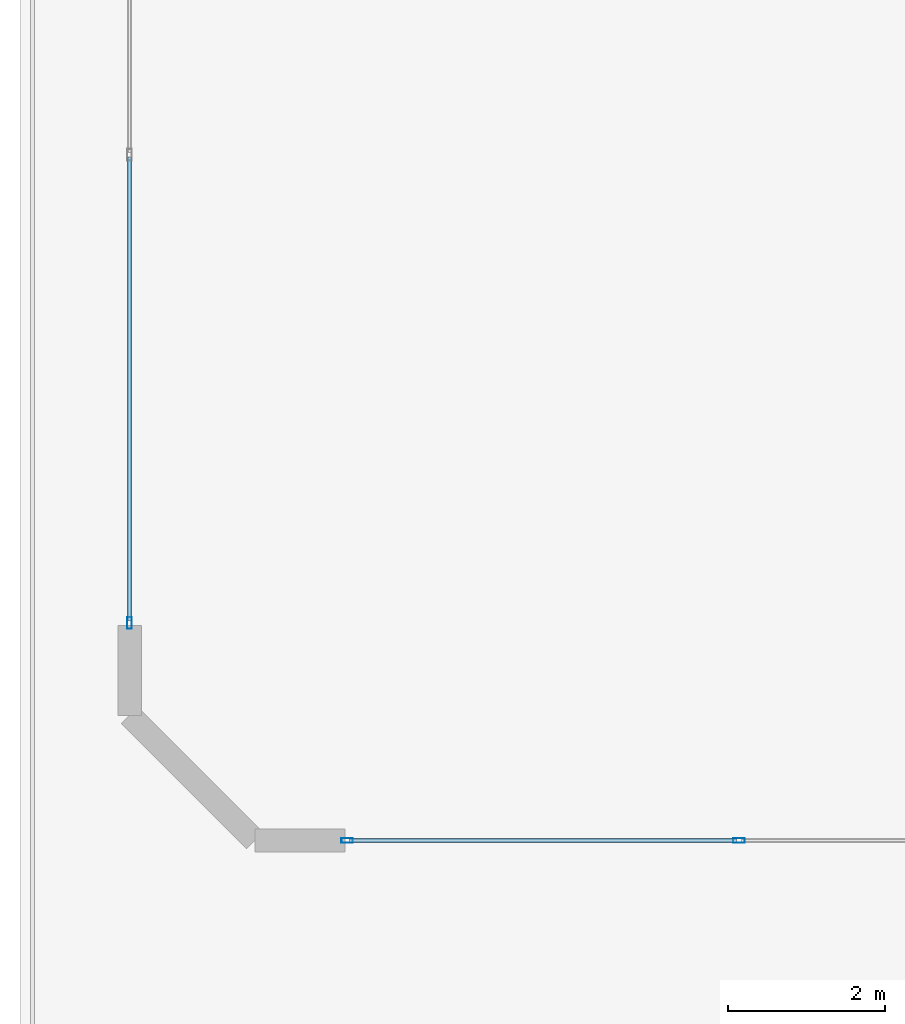
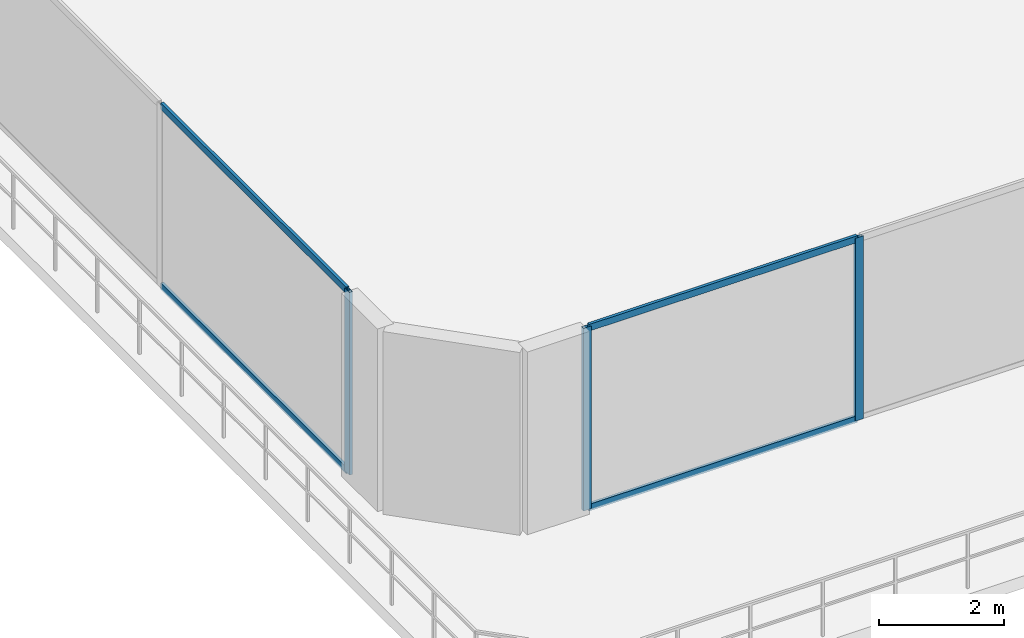
# One storey, part 2 of 19: 7 members, 2 elements without a shape of their own.
"""IFC4 building model written with IfcOpenShell, lengths in metres."""

import ifcopenshell
import ifcopenshell.guid

model = None  # the IFC model being written
_history = None  # IfcOwnerHistory: only IFC2X3 demands one
_inside = {}  # id of a spatial element -> (the spatial element, [elements in it])
_under = {}  # id of a project, library or spatial element -> (it, [spatial elements below it])
_declared = {}  # id of a project -> (the project, [libraries it declares])
_typed = {}  # id of a type object -> (the type object, [elements of that type])
_made_of = {}  # id of a material, layer set ... -> (it, [elements and type objects made of it])


def new_model(schema):
    """Start an empty IFC model of exactly this schema.

    Asked for "IFC4X3", IfcOpenShell would pick the latest addendum, in which some entities
    have other attributes; the version numbers below select the first issue.
    IFC2X3 requires an IfcOwnerHistory on every rooted entity: one is made here for all.
    """
    global model, _history
    if schema == "IFC4X3":
        model = ifcopenshell.file(schema_version=(4, 3, 0, 0))
    else:
        model = ifcopenshell.file(schema=schema)
    _inside.clear()
    _under.clear()
    _declared.clear()
    _typed.clear()
    _made_of.clear()
    _history = None
    if model.schema == "IFC2X3":
        org = make("IfcOrganization", Name="unknown")
        user = make(
            "IfcPersonAndOrganization",
            ThePerson=make("IfcPerson", FamilyName="unknown"),
            TheOrganization=org,
        )
        app = make(
            "IfcApplication",
            ApplicationDeveloper=org,
            Version="unknown",
            ApplicationFullName="unknown",
            ApplicationIdentifier="unknown",
        )
        _history = make(
            "IfcOwnerHistory",
            OwningUser=user,
            OwningApplication=app,
            ChangeAction="ADDED",
            CreationDate=0,
        )
    return model


def make(cls, **values):
    """One entity of the class cls with the attributes given. An attribute that is None is left unset."""
    return model.create_entity(
        cls, **{name: value for name, value in values.items() if value is not None}
    )


def rooted(cls, **values):
    """An entity with a GlobalId (a new one), such as an element, a storey or a relation."""
    return make(cls, GlobalId=ifcopenshell.guid.new(), OwnerHistory=_history, **values)


def si_unit(unit_type, name, prefix=None):
    """IfcSIUnit, for example si_unit("LENGTHUNIT", "METRE", prefix="MILLI")."""
    return make("IfcSIUnit", UnitType=unit_type, Prefix=prefix, Name=name)


def assignment(units):
    """IfcUnitAssignment: the units of a project."""
    return None if units is None else make("IfcUnitAssignment", Units=units)


def point(xyz):
    """IfcCartesianPoint."""
    return None if xyz is None else make("IfcCartesianPoint", Coordinates=xyz)


def direction(xyz):
    """IfcDirection."""
    return None if xyz is None else make("IfcDirection", DirectionRatios=xyz)


def frame(location, z_axis=None, x_axis=None):
    """IfcAxis2Placement3D, a coordinate frame: its origin and axes. An axis left out is left unset."""
    return make(
        "IfcAxis2Placement3D",
        Location=point(location),
        Axis=direction(z_axis),
        RefDirection=direction(x_axis),
    )


def frame_2d(location, x_axis=None):
    """IfcAxis2Placement2D, a coordinate frame in the plane: its origin and x axis."""
    return make(
        "IfcAxis2Placement2D", Location=point(location), RefDirection=direction(x_axis)
    )


def origin():
    """The frame at (0, 0, 0) with its axes left unset."""
    return frame((0.0, 0.0, 0.0))


def origin_2d():
    """The frame at (0, 0) in the plane with its x axis left unset."""
    return frame_2d((0.0, 0.0))


def place(relative_to, where):
    """IfcLocalPlacement: puts the frame where relative to a parent placement (None: the world)."""
    return make(
        "IfcLocalPlacement", PlacementRelTo=relative_to, RelativePlacement=where
    )


def context(
    kind, dimensions, precision=None, world=None, true_north=None, identifier=None
):
    """IfcGeometricRepresentationContext, for example the 3D "Model" context."""
    return make(
        "IfcGeometricRepresentationContext",
        ContextIdentifier=identifier,
        ContextType=kind,
        CoordinateSpaceDimension=dimensions,
        Precision=precision,
        WorldCoordinateSystem=world,
        TrueNorth=true_north,
    )


def subcontext(parent, identifier, kind, view, scale=None):
    """IfcGeometricRepresentationSubContext, for example "Body" below "Model"."""
    return make(
        "IfcGeometricRepresentationSubContext",
        ContextIdentifier=identifier,
        ContextType=kind,
        ParentContext=parent,
        TargetScale=scale,
        TargetView=view,
    )


def project(units=None, contexts=None):
    """IfcProject with its units and contexts."""
    return rooted(
        "IfcProject",
        Name="project",
        RepresentationContexts=contexts,
        UnitsInContext=assignment(units),
    )


def spatial(cls, under=None, at=None, **own):
    """A site, building, storey or space (cls), placed at a placement, below another one or the project."""
    s = rooted(cls, ObjectPlacement=at, **own)
    if under is not None:
        _under.setdefault(under.id(), (under, []))[1].append(s)
    return s


def profile(cls, at=None, kind="AREA", **sizes):
    """A parametric profile (cls). Its sizes go by their IFC names, for example OverallWidth=200.0."""
    return make(cls, ProfileType=kind, Position=at, **sizes)


def hollow_rectangle(**sizes):
    """IfcRectangleHollowProfileDef."""
    return profile("IfcRectangleHollowProfileDef", **sizes)


def extrude(swept, where, along, depth):
    """IfcExtrudedAreaSolid: the profile swept, set in the frame where, extruded along a direction by depth."""
    return make(
        "IfcExtrudedAreaSolid",
        SweptArea=swept,
        Position=where,
        ExtrudedDirection=direction(along),
        Depth=depth,
    )


def shape(context_of_items, identifier, shape_type, items):
    """IfcShapeRepresentation: the items that make up one representation, for example the "Body"."""
    return make(
        "IfcShapeRepresentation",
        ContextOfItems=context_of_items,
        RepresentationIdentifier=identifier,
        RepresentationType=shape_type,
        Items=items,
    )


def material(Name=None, Category=None):
    """IfcMaterial."""
    return make("IfcMaterial", Name=Name, Category=Category)


def layer(
    of_material, thickness, ventilated=None, Name=None, Category=None, Priority=None
):
    """IfcMaterialLayer: one layer of a wall or slab, of a material (None: an air gap)."""
    return make(
        "IfcMaterialLayer",
        Material=of_material,
        LayerThickness=thickness,
        IsVentilated=ventilated,
        Name=Name,
        Category=Category,
        Priority=Priority,
    )


def layer_set(layers, Name=None):
    """IfcMaterialLayerSet."""
    return make("IfcMaterialLayerSet", MaterialLayers=layers, LayerSetName=Name)


def material_profile(
    of_material, cross_section, Name=None, Category=None, Priority=None
):
    """IfcMaterialProfile: a cross section and its material."""
    return make(
        "IfcMaterialProfile",
        Name=Name,
        Material=of_material,
        Profile=cross_section,
        Priority=Priority,
        Category=Category,
    )


def profile_set(profiles, Name=None, composite=None):
    """IfcMaterialProfileSet."""
    return make(
        "IfcMaterialProfileSet",
        Name=Name,
        MaterialProfiles=profiles,
        CompositeProfile=composite,
    )


def made_of(thing, what):
    """Note that an element or type object is made of a material, layer set ...; save() writes the relation."""
    if what is not None:
        _made_of.setdefault(what.id(), (what, []))[1].append(thing)
    return thing


def type_object(cls, material=None, **own):
    """A type object (cls), such as IfcWallType, which elements share."""
    return made_of(rooted(cls, **own), material)


def element(
    cls,
    number,
    at=None,
    inside=None,
    cuts=None,
    type_object=None,
    material=None,
    context=None,
    identifier="Body",
    shape_type=None,
    held_by="IfcProductDefinitionShape",
    body=None,
    shapes=None,
    **own,
):
    """One element of the class cls, such as IfcWall. Its Tag is "e" and its number.

    at: its placement. inside: the storey or other place that contains it. cuts: it is an
    opening in that element (IfcRelVoidsElement). A single representation is given by context,
    identifier, shape_type and body (its items); several are given by shapes. held_by: the class
    of the entity that holds the representations. save() writes the other relations.
    """
    e = rooted(cls, Tag="e%d" % number, ObjectPlacement=at, **own)
    if body is not None:
        shapes = [shape(context, identifier, shape_type, body)]
    if shapes is not None:
        e.Representation = make(held_by, Representations=shapes)
    if inside is not None:
        _inside.setdefault(inside.id(), (inside, []))[1].append(e)
    if cuts is not None:
        rooted(
            "IfcRelVoidsElement", RelatingBuildingElement=cuts, RelatedOpeningElement=e
        )
    if type_object is not None:
        _typed.setdefault(type_object.id(), (type_object, []))[1].append(e)
    return made_of(e, material)


def aggregate(whole, parts):
    """IfcRelAggregates: a whole, such as a stair, and the parts it consists of."""
    return rooted("IfcRelAggregates", RelatingObject=whole, RelatedObjects=parts)


def save(model, path):
    """Write the relations noted so far, then the file.

    IfcRelAggregates (storeys below a building ...), IfcRelContainedInSpatialStructure (elements
    in a storey), IfcRelDefinesByType, IfcRelAssociatesMaterial and IfcRelDeclares: one each for
    every whole, place, type object, material and project.
    """
    for whole, parts in _under.values():
        aggregate(whole, parts)
    for where, things in _inside.values():
        rooted(
            "IfcRelContainedInSpatialStructure",
            RelatedElements=things,
            RelatingStructure=where,
        )
    for kind, things in _typed.values():
        rooted("IfcRelDefinesByType", RelatedObjects=things, RelatingType=kind)
    for what, things in _made_of.values():
        rooted("IfcRelAssociatesMaterial", RelatedObjects=things, RelatingMaterial=what)
    for by, libraries in _declared.values():
        rooted("IfcRelDeclares", RelatingContext=by, RelatedDefinitions=libraries)
    model.write(path)


model = new_model("IFC4")

# Units and contexts
model_context = context("Model", 3, precision=1e-05, world=origin(), true_north=direction((0.0, 1.0)))
body_context = subcontext(model_context, "Body", "Model", "MODEL_VIEW")
ifc_project = project(units=[si_unit("LENGTHUNIT", "METRE"), si_unit("AREAUNIT", "SQUARE_METRE"), si_unit("VOLUMEUNIT", "CUBIC_METRE"), si_unit("PLANEANGLEUNIT", "RADIAN"), si_unit("MASSUNIT", "GRAM", prefix="KILO")], contexts=[model_context])

# Site, building, storey
site_placement = place(None, origin())
site = spatial("IfcSite", under=ifc_project, at=site_placement, CompositionType="ELEMENT")
building_placement = place(site_placement, origin())
building = spatial("IfcBuilding", under=site, at=building_placement, Name="Zuhayl Quay Hotel", CompositionType="ELEMENT")
storey_placement = place(building_placement, frame((0.0, 0.0, 304.85009765625)))
storey = spatial("IfcBuildingStorey", under=building, at=storey_placement, Name="Crown 3", CompositionType="ELEMENT", Elevation=304.85009765625)

# Curtain wall, member
ifc_material_1 = material(Name="Anodised Aluminium 6063-T6", Category="aluminium")
ifc_layer = layer(ifc_material_1, 0.159912109375, Name="Anodised Aluminium 6063-T6", Category="aluminium")
ifc_layer_set = layer_set([ifc_layer], Name="Anodised Aluminium 6063-T6")
curtain_wall_type = type_object("IfcCurtainWallType", Name="CW_SYS_CRN", PredefinedType="USERDEFINED", material=ifc_layer_set)
curtain_wall_1_placement = place(storey_placement, origin())
curtain_wall_1 = element("IfcCurtainWall", 1, at=curtain_wall_1_placement, inside=storey, type_object=curtain_wall_type, Name="Crown 3 Curtain Wall ENV_CR3_E1_CW1", ObjectType="UNITISED CURTAIN WALL", PredefinedType="USERDEFINED")
ifc_material_2 = material(Name="Black-anodised aluminium 6063-T6", Category="aluminium")
ifc_material_profile_1 = material_profile(ifc_material_2, hollow_rectangle(XDim=0.06005859375, YDim=0.14990234375, WallThickness=0.00341796875, at=origin_2d()), Name="ALU150X60")
ifc_profile_set_1 = profile_set([ifc_material_profile_1], Name="Black-anodised aluminium 6063-T6")
member_type_1 = type_object("IfcMemberType", Name="MB_CW_MUL_150", PredefinedType="MULLION", material=ifc_profile_set_1)
member_1_placement = place(storey_placement, frame((-17.199951171875, 10.97998046875, 0.0), z_axis=(0.0, 0.0, 1.0), x_axis=(-1.0, 0.0, 0.0)))
member_1 = element("IfcMember", 2, at=member_1_placement, type_object=member_type_1, Name="CW-CRN mullion 1", PredefinedType="MULLION", context=body_context, shape_type="SweptSolid", body=[
    extrude(hollow_rectangle(XDim=0.06005859375, YDim=0.14990234375, WallThickness=0.00341796875, at=origin_2d()), origin(), (0.0, 0.0, 1.0), 3.559814453125),
])

# Curtain wall, members
curtain_wall_2_placement = place(storey_placement, origin())
curtain_wall_2 = element("IfcCurtainWall", 3, at=curtain_wall_2_placement, inside=storey, type_object=curtain_wall_type, Name="Crown 3 Curtain Wall ENV_CR3_E7_CW2", ObjectType="UNITISED CURTAIN WALL", PredefinedType="USERDEFINED")
member_2_placement = place(storey_placement, frame((-9.41259765625, 8.199951171875, 0.0), z_axis=(0.0, 0.0, 1.0), x_axis=(0.0, -1.0, 0.0)))
member_2 = element("IfcMember", 4, at=member_2_placement, type_object=member_type_1, Name="CW-CRN mullion 2", PredefinedType="MULLION", context=body_context, shape_type="SweptSolid", body=[
    extrude(hollow_rectangle(XDim=0.06005859375, YDim=0.14990234375, WallThickness=0.00341796875, at=origin_2d()), origin(), (0.0, 0.0, 1.0), 3.559814453125),
])
member_3_placement = place(storey_placement, frame((-14.419921875, 8.199951171875, 0.0), z_axis=(0.0, 0.0, 1.0), x_axis=(0.0, -1.0, 0.0)))
member_3 = element("IfcMember", 5, at=member_3_placement, type_object=member_type_1, Name="CW-CRN mullion 3", PredefinedType="MULLION", context=body_context, shape_type="SweptSolid", body=[
    extrude(hollow_rectangle(XDim=0.06005859375, YDim=0.14990234375, WallThickness=0.00341796875, at=origin_2d()), origin(), (0.0, 0.0, 1.0), 3.559814453125),
])

# Member
ifc_material_profile_2 = material_profile(ifc_material_2, hollow_rectangle(XDim=0.054931640625, YDim=0.1298828125, WallThickness=0.0029296875, at=origin_2d()), Name="ALU130X55")
ifc_profile_set_2 = profile_set([ifc_material_profile_2], Name="Black-anodised aluminium 6063-T6")
member_type_2 = type_object("IfcMemberType", Name="MB_CW_TRN_130", PredefinedType="USERDEFINED", material=ifc_profile_set_2)
member_4_placement = place(storey_placement, frame((-17.199951171875, 11.010009765625, 0.02734375), z_axis=(0.0, 1.0, 0.0), x_axis=(-1.0, 0.0, 0.0)))
member_4 = element("IfcMember", 6, at=member_4_placement, type_object=member_type_2, Name="CW-CRN transom 1.1", ObjectType="TRANSOM", PredefinedType="USERDEFINED", context=body_context, shape_type="SweptSolid", body=[
    extrude(hollow_rectangle(XDim=0.054931640625, YDim=0.1298828125, WallThickness=0.0029296875, at=origin_2d()), origin(), (0.0, 0.0, 1.0), 5.922607421875),
])

member_5_placement = place(storey_placement, frame((-17.199951171875, 11.010009765625, 3.532470703125), z_axis=(0.0, 1.0, 0.0), x_axis=(-1.0, 0.0, 0.0)))
member_5 = element("IfcMember", 7, at=member_5_placement, type_object=member_type_2, Name="CW-CRN transom 1.2", ObjectType="TRANSOM", PredefinedType="USERDEFINED", context=body_context, shape_type="SweptSolid", body=[
    extrude(hollow_rectangle(XDim=0.054931640625, YDim=0.1298828125, WallThickness=0.0029296875, at=origin_2d()), origin(), (0.0, 0.0, 1.0), 5.922607421875),
])

aggregate(curtain_wall_1, [member_1, member_4, member_5])

member_6_placement = place(storey_placement, frame((-9.4423828125, 8.199951171875, 0.02734375), z_axis=(-1.0, 0.0, 0.0), x_axis=(0.0, -1.0, 0.0)))
member_6 = element("IfcMember", 8, at=member_6_placement, type_object=member_type_2, Name="CW-CRN transom 2.1", ObjectType="TRANSOM", PredefinedType="USERDEFINED", context=body_context, shape_type="SweptSolid", body=[
    extrude(hollow_rectangle(XDim=0.054931640625, YDim=0.1298828125, WallThickness=0.0029296875, at=origin_2d()), origin(), (0.0, 0.0, 1.0), 4.947509765625),
])

member_7_placement = place(storey_placement, frame((-9.4423828125, 8.199951171875, 3.532470703125), z_axis=(-1.0, 0.0, 0.0), x_axis=(0.0, -1.0, 0.0)))
member_7 = element("IfcMember", 9, at=member_7_placement, type_object=member_type_2, Name="CW-CRN transom 2.2", ObjectType="TRANSOM", PredefinedType="USERDEFINED", context=body_context, shape_type="SweptSolid", body=[
    extrude(hollow_rectangle(XDim=0.054931640625, YDim=0.1298828125, WallThickness=0.0029296875, at=origin_2d()), origin(), (0.0, 0.0, 1.0), 4.947509765625),
])

aggregate(curtain_wall_2, [member_2, member_3, member_6, member_7])

save(model, "model.ifc")
